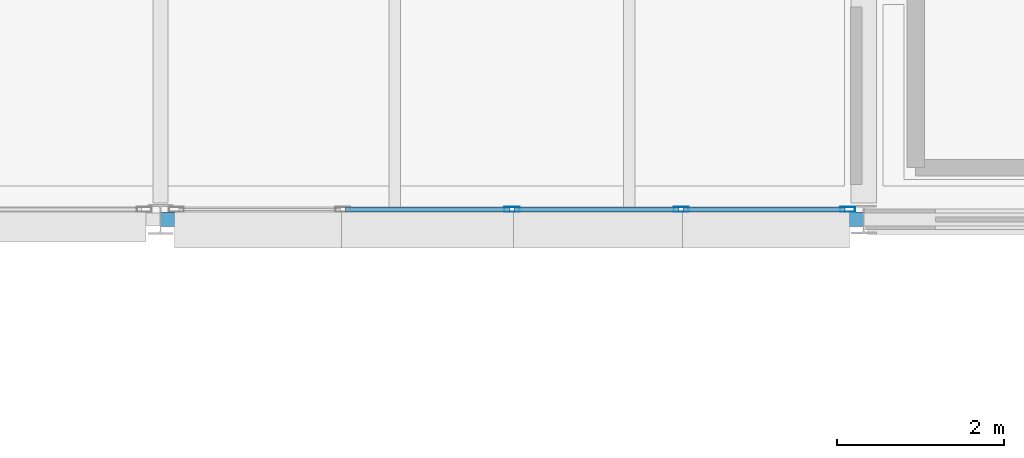
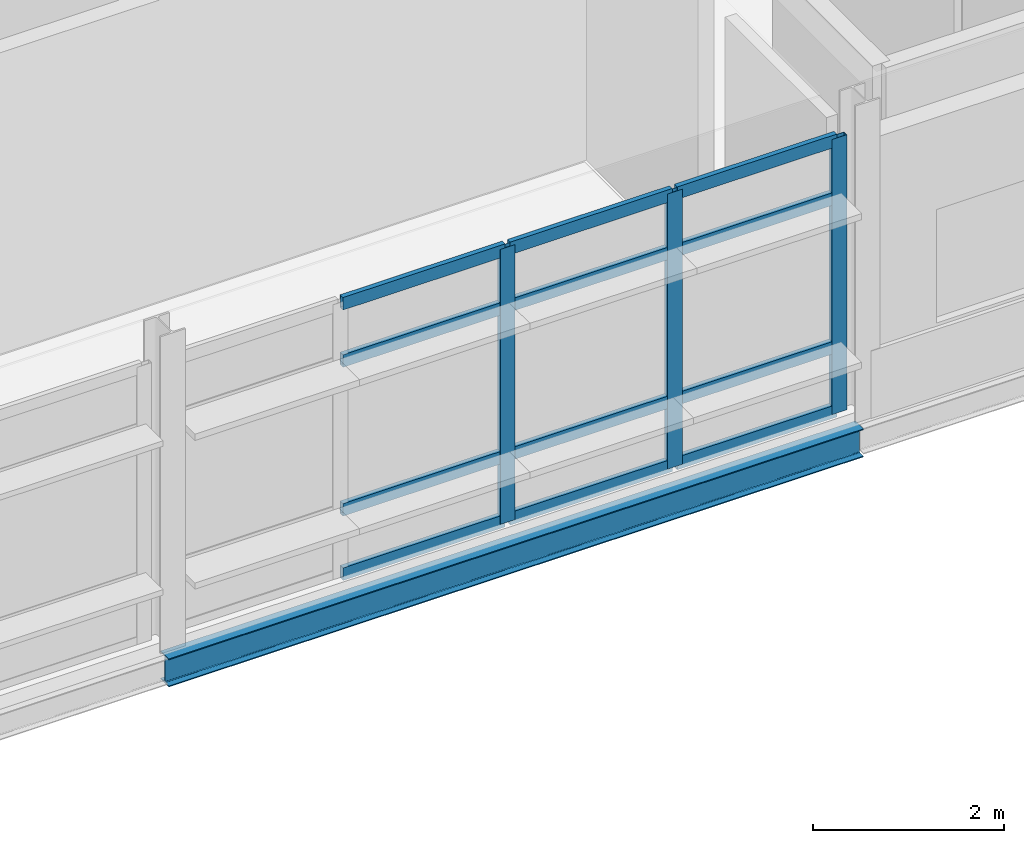
# One storey, part 12 of 57: 15 members, 1 beam, 1 element without a shape of its own.
"""IFC4 building model written with IfcOpenShell, lengths in metres."""

from ifc_helpers import new_model, si_unit, direction, frame, origin, origin_2d, place, context, subcontext, project, spatial, hollow_rectangle, i_section, extrude, material, material_profile, profile_set, type_object, element, aggregate, save


model = new_model("IFC4")

# Units and contexts
model_context = context("Model", 3, precision=1e-05, world=origin(), true_north=direction((0.0, 1.0)))
body_context = subcontext(model_context, "Body", "Model", "MODEL_VIEW")
ifc_project = project(units=[si_unit("LENGTHUNIT", "METRE"), si_unit("AREAUNIT", "SQUARE_METRE"), si_unit("VOLUMEUNIT", "CUBIC_METRE"), si_unit("PLANEANGLEUNIT", "RADIAN"), si_unit("MASSUNIT", "GRAM", prefix="KILO")], contexts=[model_context])

# Site, building, storey
site_placement = place(None, origin())
site = spatial("IfcSite", under=ifc_project, at=site_placement, CompositionType="ELEMENT")
building_placement = place(site_placement, origin())
building = spatial("IfcBuilding", under=site, at=building_placement, Name="Mersafa Astral City Hall", CompositionType="ELEMENT")
storey_placement = place(building_placement, frame((0.0, 0.0, 26.10009765625)))
storey = spatial("IfcBuildingStorey", under=building, at=storey_placement, Name="L06", CompositionType="ELEMENT", Elevation=26.10009765625)

# Curtain wall, members
ifc_material_1 = material(Name="Anodised bronze aluminium framing", Category="aluminium")
curtain_wall_type = type_object("IfcCurtainWallType", Name="ENV-CW-1", PredefinedType="USERDEFINED", material=ifc_material_1)
curtain_wall_placement = place(storey_placement, origin())
curtain_wall = element("IfcCurtainWall", 1, at=curtain_wall_placement, inside=storey, type_object=curtain_wall_type, Name="L06 Unitised solar curtain wall 252", ObjectType="UNITISED CURTAIN WALL", PredefinedType="USERDEFINED")
ifc_material_profile_1 = material_profile(ifc_material_1, hollow_rectangle(XDim=0.06005859375, YDim=0.179931640625, WallThickness=0.00390625, at=origin_2d()), Name="RHS 60x180x4")
ifc_profile_set_1 = profile_set([ifc_material_profile_1], Name="Anodised bronze aluminium framing")
member_type_1 = type_object("IfcMemberType", Name="ENV-CW-MUL-1", PredefinedType="MULLION", material=ifc_profile_set_1)
member_1_placement = place(storey_placement, frame((155.39990234375, 100.919921875, -0.002197265625), z_axis=(0.0, 0.0, 1.0), x_axis=(0.0, 1.0, 0.0)))
member_1 = element("IfcMember", 2, at=member_1_placement, type_object=member_type_1, Name="CW-1 mullion 3", PredefinedType="MULLION", context=body_context, shape_type="SweptSolid", body=[
    extrude(hollow_rectangle(XDim=0.06005859375, YDim=0.179931640625, WallThickness=0.00390625, at=origin_2d()), origin(), (0.0, 0.0, 1.0), 3.51416015625),
])
member_2_placement = place(storey_placement, frame((157.4189453125, 100.919921875, -0.002197265625), z_axis=(0.0, 0.0, 1.0), x_axis=(0.0, 1.0, 0.0)))
member_2 = element("IfcMember", 3, at=member_2_placement, type_object=member_type_1, Name="CW-1 mullion 4", PredefinedType="MULLION", context=body_context, shape_type="SweptSolid", body=[
    extrude(hollow_rectangle(XDim=0.06005859375, YDim=0.179931640625, WallThickness=0.00390625, at=origin_2d()), origin(), (0.0, 0.0, 1.0), 3.51416015625),
])
member_3_placement = place(storey_placement, frame((159.407958984375, 100.919921875, -0.002197265625), z_axis=(0.0, 0.0, 1.0), x_axis=(0.0, 1.0, 0.0)))
member_3 = element("IfcMember", 4, at=member_3_placement, type_object=member_type_1, Name="CW-1 mullion 5", PredefinedType="MULLION", context=body_context, shape_type="SweptSolid", body=[
    extrude(hollow_rectangle(XDim=0.06005859375, YDim=0.179931640625, WallThickness=0.00390625, at=origin_2d()), origin(), (0.0, 0.0, 1.0), 3.51416015625),
])
ifc_material_profile_2 = material_profile(ifc_material_1, hollow_rectangle(XDim=0.06005859375, YDim=0.159912109375, WallThickness=0.00390625, at=origin_2d()), Name="RHS 60x160x4")
ifc_profile_set_2 = profile_set([ifc_material_profile_2], Name="Anodised bronze aluminium framing")
member_type_2 = type_object("IfcMemberType", Name="ENV-CW-TRN-2", PredefinedType="USERDEFINED", material=ifc_profile_set_2)
member_4_placement = place(storey_placement, frame((153.410888671875, 100.919921875, 0.02783203125), z_axis=(1.0, 0.0, 0.0), x_axis=(0.0, 1.0, 0.0)))
member_4 = element("IfcMember", 5, at=member_4_placement, type_object=member_type_2, Name="CW-1 transom 2.1", ObjectType="TRANSOM", PredefinedType="USERDEFINED", context=body_context, shape_type="SweptSolid", body=[
    extrude(hollow_rectangle(XDim=0.06005859375, YDim=0.159912109375, WallThickness=0.00390625, at=origin_2d()), origin(), (0.0, 0.0, 1.0), 1.959228515625),
])
member_5_placement = place(storey_placement, frame((153.410888671875, 100.919921875, 0.849853515625), z_axis=(1.0, 0.0, 0.0), x_axis=(0.0, 1.0, 0.0)))
member_5 = element("IfcMember", 6, at=member_5_placement, type_object=member_type_2, Name="CW-1 transom 2.2", ObjectType="TRANSOM", PredefinedType="USERDEFINED", context=body_context, shape_type="SweptSolid", body=[
    extrude(hollow_rectangle(XDim=0.06005859375, YDim=0.159912109375, WallThickness=0.00390625, at=origin_2d()), origin(), (0.0, 0.0, 1.0), 1.959228515625),
])
member_6_placement = place(storey_placement, frame((153.410888671875, 100.919921875, 2.75), z_axis=(1.0, 0.0, 0.0), x_axis=(0.0, 1.0, 0.0)))
member_6 = element("IfcMember", 7, at=member_6_placement, type_object=member_type_2, Name="CW-1 transom 2.3", ObjectType="TRANSOM", PredefinedType="USERDEFINED", context=body_context, shape_type="SweptSolid", body=[
    extrude(hollow_rectangle(XDim=0.06005859375, YDim=0.159912109375, WallThickness=0.00390625, at=origin_2d()), origin(), (0.0, 0.0, 1.0), 1.959228515625),
])
member_7_placement = place(storey_placement, frame((153.410888671875, 100.919921875, 3.48193359375), z_axis=(1.0, 0.0, 0.0), x_axis=(0.0, 1.0, 0.0)))
member_7 = element("IfcMember", 8, at=member_7_placement, type_object=member_type_2, Name="CW-1 transom 2.4", ObjectType="TRANSOM", PredefinedType="USERDEFINED", context=body_context, shape_type="SweptSolid", body=[
    extrude(hollow_rectangle(XDim=0.06005859375, YDim=0.159912109375, WallThickness=0.00390625, at=origin_2d()), origin(), (0.0, 0.0, 1.0), 1.959228515625),
])
member_8_placement = place(storey_placement, frame((155.429931640625, 100.919921875, 0.02783203125), z_axis=(1.0, 0.0, 0.0), x_axis=(0.0, 1.0, 0.0)))
member_8 = element("IfcMember", 9, at=member_8_placement, type_object=member_type_2, Name="CW-1 transom 3.1", ObjectType="TRANSOM", PredefinedType="USERDEFINED", context=body_context, shape_type="SweptSolid", body=[
    extrude(hollow_rectangle(XDim=0.06005859375, YDim=0.159912109375, WallThickness=0.00390625, at=origin_2d()), origin(), (0.0, 0.0, 1.0), 1.958984375),
])
member_9_placement = place(storey_placement, frame((155.429931640625, 100.919921875, 0.849853515625), z_axis=(1.0, 0.0, 0.0), x_axis=(0.0, 1.0, 0.0)))
member_9 = element("IfcMember", 10, at=member_9_placement, type_object=member_type_2, Name="CW-1 transom 3.2", ObjectType="TRANSOM", PredefinedType="USERDEFINED", context=body_context, shape_type="SweptSolid", body=[
    extrude(hollow_rectangle(XDim=0.06005859375, YDim=0.159912109375, WallThickness=0.00390625, at=origin_2d()), origin(), (0.0, 0.0, 1.0), 1.958984375),
])
member_10_placement = place(storey_placement, frame((155.429931640625, 100.919921875, 2.75), z_axis=(1.0, 0.0, 0.0), x_axis=(0.0, 1.0, 0.0)))
member_10 = element("IfcMember", 11, at=member_10_placement, type_object=member_type_2, Name="CW-1 transom 3.3", ObjectType="TRANSOM", PredefinedType="USERDEFINED", context=body_context, shape_type="SweptSolid", body=[
    extrude(hollow_rectangle(XDim=0.06005859375, YDim=0.159912109375, WallThickness=0.00390625, at=origin_2d()), origin(), (0.0, 0.0, 1.0), 1.958984375),
])
member_11_placement = place(storey_placement, frame((155.429931640625, 100.919921875, 3.48193359375), z_axis=(1.0, 0.0, 0.0), x_axis=(0.0, 1.0, 0.0)))
member_11 = element("IfcMember", 12, at=member_11_placement, type_object=member_type_2, Name="CW-1 transom 3.4", ObjectType="TRANSOM", PredefinedType="USERDEFINED", context=body_context, shape_type="SweptSolid", body=[
    extrude(hollow_rectangle(XDim=0.06005859375, YDim=0.159912109375, WallThickness=0.00390625, at=origin_2d()), origin(), (0.0, 0.0, 1.0), 1.958984375),
])
member_12_placement = place(storey_placement, frame((157.448974609375, 100.919921875, 0.02783203125), z_axis=(1.0, 0.0, 0.0), x_axis=(0.0, 1.0, 0.0)))
member_12 = element("IfcMember", 13, at=member_12_placement, type_object=member_type_2, Name="CW-1 transom 4.1", ObjectType="TRANSOM", PredefinedType="USERDEFINED", context=body_context, shape_type="SweptSolid", body=[
    extrude(hollow_rectangle(XDim=0.06005859375, YDim=0.159912109375, WallThickness=0.00390625, at=origin_2d()), origin(), (0.0, 0.0, 1.0), 1.928955078125),
])
member_13_placement = place(storey_placement, frame((157.448974609375, 100.919921875, 0.849853515625), z_axis=(1.0, 0.0, 0.0), x_axis=(0.0, 1.0, 0.0)))
member_13 = element("IfcMember", 14, at=member_13_placement, type_object=member_type_2, Name="CW-1 transom 4.2", ObjectType="TRANSOM", PredefinedType="USERDEFINED", context=body_context, shape_type="SweptSolid", body=[
    extrude(hollow_rectangle(XDim=0.06005859375, YDim=0.159912109375, WallThickness=0.00390625, at=origin_2d()), origin(), (0.0, 0.0, 1.0), 1.928955078125),
])
member_14_placement = place(storey_placement, frame((157.448974609375, 100.919921875, 2.75), z_axis=(1.0, 0.0, 0.0), x_axis=(0.0, 1.0, 0.0)))
member_14 = element("IfcMember", 15, at=member_14_placement, type_object=member_type_2, Name="CW-1 transom 4.3", ObjectType="TRANSOM", PredefinedType="USERDEFINED", context=body_context, shape_type="SweptSolid", body=[
    extrude(hollow_rectangle(XDim=0.06005859375, YDim=0.159912109375, WallThickness=0.00390625, at=origin_2d()), origin(), (0.0, 0.0, 1.0), 1.928955078125),
])
member_15_placement = place(storey_placement, frame((157.448974609375, 100.919921875, 3.48193359375), z_axis=(1.0, 0.0, 0.0), x_axis=(0.0, 1.0, 0.0)))
member_15 = element("IfcMember", 16, at=member_15_placement, type_object=member_type_2, Name="CW-1 transom 4.4", ObjectType="TRANSOM", PredefinedType="USERDEFINED", context=body_context, shape_type="SweptSolid", body=[
    extrude(hollow_rectangle(XDim=0.06005859375, YDim=0.159912109375, WallThickness=0.00390625, at=origin_2d()), origin(), (0.0, 0.0, 1.0), 1.928955078125),
])
aggregate(curtain_wall, [member_1, member_2, member_3, member_4, member_5, member_6, member_7, member_8, member_9, member_10, member_11, member_12, member_13, member_14, member_15])

# Beam
ifc_material_2 = material(Name="Steel S355", Category="steel")
ifc_material_profile_3 = material_profile(ifc_material_2, i_section(OverallWidth=0.169921875, OverallDepth=0.360107421875, WebThickness=0.008056640625, FlangeThickness=0.0126953125, FilletRadius=0.01806640625, at=origin_2d()), Name="IPE 360")
ifc_profile_set_3 = profile_set([ifc_material_profile_3], Name="Steel S355")
beam_type = type_object("IfcBeamType", Name="STR-BM-SPANDREL-IPE360", PredefinedType="SPANDREL", material=ifc_profile_set_3)
beam_placement = place(storey_placement, frame((151.202880859375, 100.800048828125, -0.35498046875), z_axis=(1.0, 0.0, 0.0), x_axis=(0.0, 1.0, 0.0)))
element("IfcBeam", 17, at=beam_placement, inside=storey, type_object=beam_type, Name="L06 Primary girder X 18-12", PredefinedType="SPANDREL", context=body_context, shape_type="SweptSolid", body=[
    extrude(i_section(OverallWidth=0.169921875, OverallDepth=0.360107421875, WebThickness=0.008056640625, FlangeThickness=0.0126953125, FilletRadius=0.01806640625, at=origin_2d()), origin(), (0.0, 0.0, 1.0), 8.39404296875),
])

save(model, "model.ifc")
